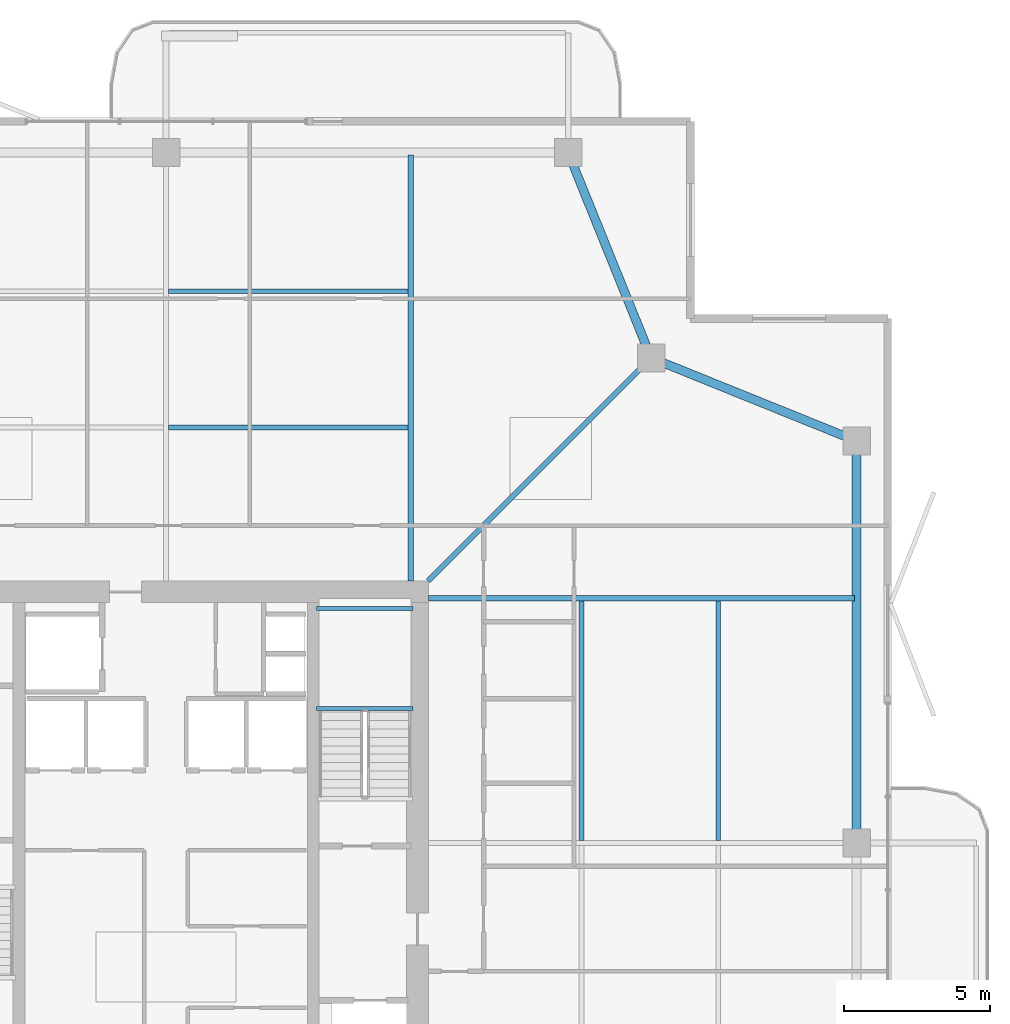
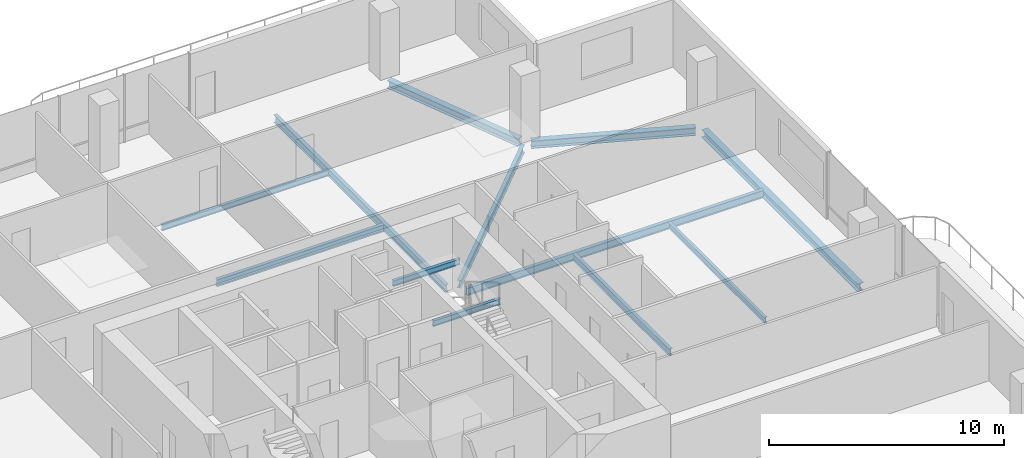
# One storey, part 14 of 25: 12 beams.
"""IFC4 building model written with IfcOpenShell, lengths in metres."""

from ifc_helpers import new_model, si_unit, direction, frame, origin, origin_2d, place, context, subcontext, project, spatial, i_section, extrude, material, material_profile, profile_set, type_object, element, save


model = new_model("IFC4")

# Units and contexts
model_context = context("Model", 3, precision=1e-05, world=origin(), true_north=direction((0.0, 1.0)))
body_context = subcontext(model_context, "Body", "Model", "MODEL_VIEW")
ifc_project = project(units=[si_unit("LENGTHUNIT", "METRE"), si_unit("AREAUNIT", "SQUARE_METRE"), si_unit("VOLUMEUNIT", "CUBIC_METRE"), si_unit("PLANEANGLEUNIT", "RADIAN"), si_unit("MASSUNIT", "GRAM", prefix="KILO")], contexts=[model_context])

# Site, building, storey
site_placement = place(None, origin())
site = spatial("IfcSite", under=ifc_project, at=site_placement, CompositionType="ELEMENT")
building_placement = place(site_placement, origin())
building = spatial("IfcBuilding", under=site, at=building_placement, Name="Belovzor Exchange Tower", CompositionType="ELEMENT")
storey_placement = place(building_placement, frame((0.0, 0.0, 254.10009765625)))
storey = spatial("IfcBuildingStorey", under=building, at=storey_placement, Name="L63", CompositionType="ELEMENT", Elevation=254.10009765625)

# Beams
ifc_material_1 = material(Name="Steel S355", Category="steel")
ifc_material_profile_1 = material_profile(ifc_material_1, i_section(OverallWidth=0.169921875, OverallDepth=0.360107421875, WebThickness=0.008056640625, FlangeThickness=0.0126953125, at=origin_2d()))
ifc_profile_set_1 = profile_set([ifc_material_profile_1], Name="Steel S355")
beam_type_1 = type_object("IfcBeamType", Name="Secondary Infill Floor Joist IPE 360", PredefinedType="BEAM", material=ifc_profile_set_1)
for number, where, z_axis, x_axis, name in (
    (1, (28.889892578125, 43.06494140625, -0.43017578125), (1.0, 0.0, 0.0), (0.0, 1.0, 0.0), "FJ-360 Secondary Infill Floor Joist IPE 360"),
    (2, (43.06494140625, 28.889892578125, -0.43017578125), (0.0, 1.0, 0.0), (-1.0, 0.0, 0.0), "FJ-360 Secondary Infill Floor Joist IPE 360"),
):
    element("IfcBeam", number, at=place(storey_placement, frame(where, z_axis=z_axis, x_axis=x_axis)), inside=storey, type_object=beam_type_1, Name=name, PredefinedType="BEAM", context=body_context, shape_type="SweptSolid", body=[
        extrude(i_section(OverallWidth=0.169921875, OverallDepth=0.360107421875, WebThickness=0.008056640625, FlangeThickness=0.0126953125, at=origin_2d()), origin(), (0.0, 0.0, 1.0), 8.22021484375),
    ])
ifc_material_2 = material(Name="Steel S355", Category="steel")
ifc_material_profile_2 = material_profile(ifc_material_2, i_section(OverallWidth=0.14990234375, OverallDepth=0.300048828125, WebThickness=0.007080078125, FlangeThickness=0.0107421875, at=origin_2d()))
ifc_profile_set_2 = profile_set([ifc_material_profile_2], Name="Steel S355")
beam_type_2 = type_object("IfcBeamType", Name="Secondary Trim Floor Joist IPE 300", PredefinedType="BEAM", material=ifc_profile_set_2)
for number, where, z_axis, x_axis, name in (
    (3, (37.280029296875, 33.419921875, 1.52490234375), (-1.0, 0.0, 0.0), (0.0, -1.0, 0.0), "FJ-300 Secondary Trim Floor Joist IPE 300"),
    (4, (37.280029296875, 36.85009765625, 1.52490234375), (-1.0, 0.0, 0.0), (0.0, -1.0, 0.0), "FJ-300 Secondary Trim Floor Joist IPE 300"),
):
    element("IfcBeam", number, at=place(storey_placement, frame(where, z_axis=z_axis, x_axis=x_axis)), inside=storey, type_object=beam_type_2, Name=name, PredefinedType="BEAM", context=body_context, shape_type="SweptSolid", body=[
        extrude(i_section(OverallWidth=0.14990234375, OverallDepth=0.300048828125, WebThickness=0.007080078125, FlangeThickness=0.0107421875, at=origin_2d()), origin(), (0.0, 0.0, 1.0), 3.31005859375),
    ])
for number, where, z_axis, x_axis, name in (
    (5, (28.889892578125, 47.7451171875, -0.400146484375), (1.0, 0.0, 0.0), (0.0, 1.0, 0.0), "FJ-300 Secondary Trim Floor Joist IPE 300"),
    (6, (47.7451171875, 28.889892578125, -0.400146484375), (0.0, 1.0, 0.0), (-1.0, 0.0, 0.0), "FJ-300 Secondary Trim Floor Joist IPE 300"),
):
    element("IfcBeam", number, at=place(storey_placement, frame(where, z_axis=z_axis, x_axis=x_axis)), inside=storey, type_object=beam_type_2, Name=name, PredefinedType="BEAM", context=body_context, shape_type="SweptSolid", body=[
        extrude(i_section(OverallWidth=0.14990234375, OverallDepth=0.300048828125, WebThickness=0.007080078125, FlangeThickness=0.0107421875, at=origin_2d()), origin(), (0.0, 0.0, 1.0), 8.22021484375),
    ])
ifc_material_3 = material(Name="Steel S355", Category="steel")
ifc_material_profile_3 = material_profile(ifc_material_3, i_section(OverallWidth=0.300048828125, OverallDepth=0.39990234375, WebThickness=0.013427734375, FlangeThickness=0.02392578125, at=origin_2d()))
ifc_profile_set_3 = profile_set([ifc_material_profile_3], Name="Steel S355")
beam_type_3 = type_object("IfcBeamType", Name="Zone 5 Primary Girder HEB 400", PredefinedType="BEAM", material=ifc_profile_set_3)
beam_1_placement = place(storey_placement, frame((52.5, 29.06103515625, -0.4501953125), z_axis=(0.0, 1.0, 0.0), x_axis=(-1.0, 0.0, 0.0)))
element("IfcBeam", 7, at=beam_1_placement, inside=storey, type_object=beam_type_3, Name="FG-Z5 Zone 5 Primary Girder HEB 400", PredefinedType="BEAM", context=body_context, shape_type="SweptSolid", body=[
    extrude(i_section(OverallWidth=0.300048828125, OverallDepth=0.39990234375, WebThickness=0.013427734375, FlangeThickness=0.02392578125, at=origin_2d()), origin(), (0.0, 0.0, 1.0), 13.278076171875),
])
for number, where, z_axis, x_axis, name in (
    (8, (52.258056640625, 42.697998046875, -0.4501953125), (-0.927127394661, 0.374746306278, 0.0), (-0.374746306278, -0.927127394661, 0.0), "FG-Z5 Zone 5 Primary Girder HEB 400"),
    (9, (45.35205078125, 45.69189453125, -0.4501953125), (-0.374746306278, 0.927127394661, 0.0), (-0.927127394661, -0.374746306278, 0.0), "FG-Z5 Zone 5 Primary Girder HEB 400"),
):
    element("IfcBeam", number, at=place(storey_placement, frame(where, z_axis=z_axis, x_axis=x_axis)), inside=storey, type_object=beam_type_3, Name=name, PredefinedType="BEAM", context=body_context, shape_type="SweptSolid", body=[
        extrude(i_section(OverallWidth=0.300048828125, OverallDepth=0.39990234375, WebThickness=0.013427734375, FlangeThickness=0.02392578125, at=origin_2d()), origin(), (0.0, 0.0, 1.0), 7.082275390625),
    ])
ifc_material_4 = material(Name="Steel S355", Category="steel")
ifc_material_profile_4 = material_profile(ifc_material_4, i_section(OverallWidth=0.179931640625, OverallDepth=0.39990234375, WebThickness=0.008544921875, FlangeThickness=0.013427734375, at=origin_2d()))
ifc_profile_set_4 = profile_set([ifc_material_profile_4], Name="Steel S355")
beam_type_4 = type_object("IfcBeamType", Name="Zone 5-6 Radial Composite Floor Beam IPE 400", PredefinedType="BEAM", material=ifc_profile_set_4)
for number, where, z_axis, x_axis, name in (
    (10, (37.199951171875, 37.800048828125, -0.4501953125), (0.0, 1.0, 0.0), (-1.0, 0.0, 0.0), "FB-400 Zone 5-6 Radial Composite Floor Beam IPE 400"),
    (11, (37.800048828125, 37.199951171875, -0.4501953125), (1.0, 0.0, 0.0), (0.0, 1.0, 0.0), "FB-400 Zone 5-6 Radial Composite Floor Beam IPE 400"),
):
    element("IfcBeam", number, at=place(storey_placement, frame(where, z_axis=z_axis, x_axis=x_axis)), inside=storey, type_object=beam_type_4, Name=name, PredefinedType="BEAM", context=body_context, shape_type="SweptSolid", body=[
        extrude(i_section(OverallWidth=0.179931640625, OverallDepth=0.39990234375, WebThickness=0.008544921875, FlangeThickness=0.013427734375, at=origin_2d()), origin(), (0.0, 0.0, 1.0), 14.625),
    ])
beam_2_placement = place(storey_placement, frame((37.800048828125, 37.800048828125, -0.4501953125), z_axis=(0.707106781187, 0.707106781187, 0.0), x_axis=(-0.707106781187, 0.707106781187, 0.0)))
element("IfcBeam", 12, at=beam_2_placement, inside=storey, type_object=beam_type_4, Name="FB-400 Zone 5-6 Radial Composite Floor Beam IPE 400", PredefinedType="BEAM", context=body_context, shape_type="SweptSolid", body=[
    extrude(i_section(OverallWidth=0.179931640625, OverallDepth=0.39990234375, WebThickness=0.008544921875, FlangeThickness=0.013427734375, at=origin_2d()), origin(), (0.0, 0.0, 1.0), 10.4833984375),
])

save(model, "model.ifc")
